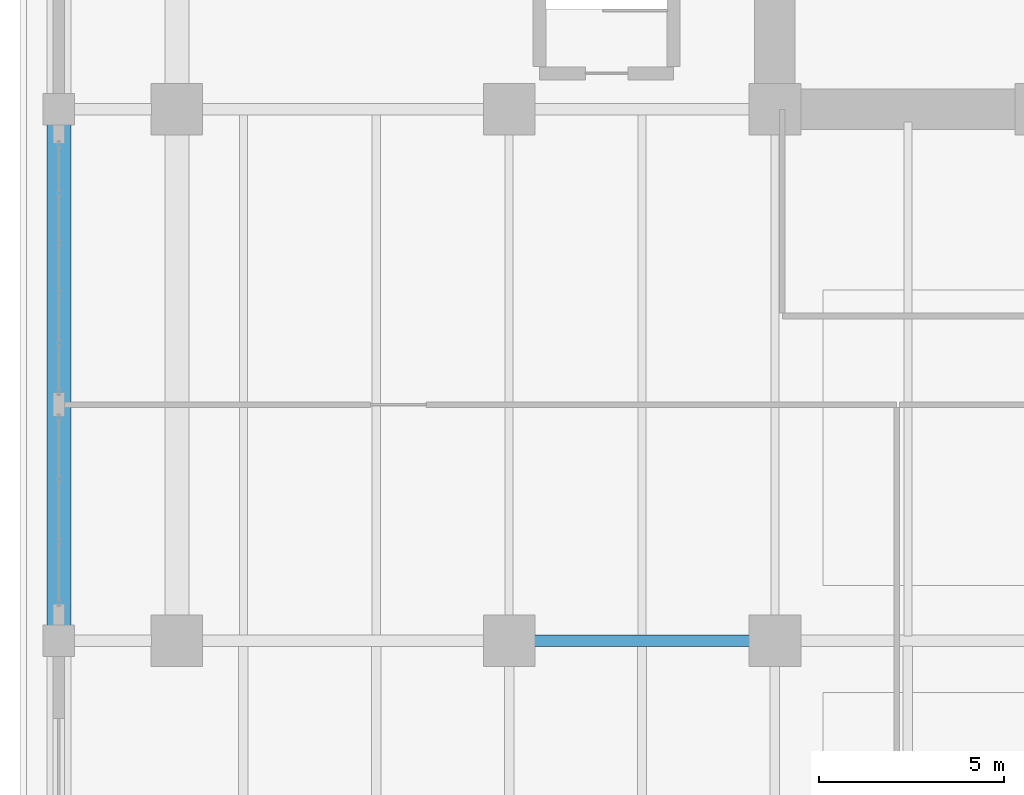
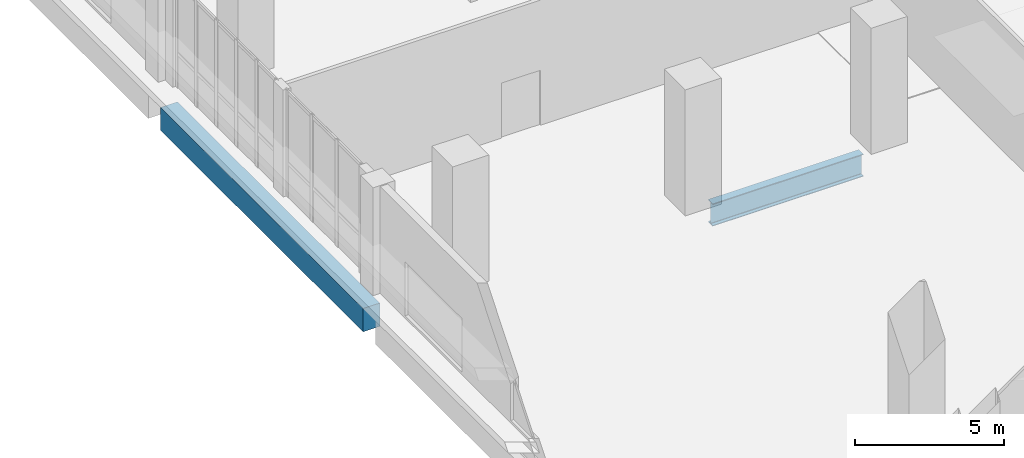
# One storey, part 5 of 25: 2 beams.
"""IFC4 building model written with IfcOpenShell, lengths in metres."""

from ifc_helpers import new_model, si_unit, direction, frame, origin, origin_2d, place, context, subcontext, project, spatial, rectangle, i_section, extrude, material, material_profile, profile_set, type_object, element, save


model = new_model("IFC4")

# Units and contexts
model_context = context("Model", 3, precision=1e-05, world=origin(), true_north=direction((0.0, 1.0)))
body_context = subcontext(model_context, "Body", "Model", "MODEL_VIEW")
ifc_project = project(units=[si_unit("LENGTHUNIT", "METRE"), si_unit("AREAUNIT", "SQUARE_METRE"), si_unit("VOLUMEUNIT", "CUBIC_METRE"), si_unit("PLANEANGLEUNIT", "RADIAN"), si_unit("MASSUNIT", "GRAM", prefix="KILO")], contexts=[model_context])

# Site, building, storey
site_placement = place(None, origin())
site = spatial("IfcSite", under=ifc_project, at=site_placement, CompositionType="ELEMENT")
building_placement = place(site_placement, origin())
building = spatial("IfcBuilding", under=site, at=building_placement, Name="Kaelvorn Grand Hotel", CompositionType="ELEMENT")
storey_placement = place(building_placement, frame((0.0, 0.0, 26.0)))
storey = spatial("IfcBuildingStorey", under=building, at=storey_placement, Name="L04", CompositionType="ELEMENT", Elevation=26.0)

# Beams
ifc_material_1 = material(Name="Steel S355", Category="steel")
ifc_material_profile_1 = material_profile(ifc_material_1, i_section(OverallWidth=0.305419921875, OverallDepth=0.91845703125, WebThickness=0.017333984375, FlangeThickness=0.02783203125, FilletRadius=0.01904296875, at=origin_2d()), Name="UB 914x305x253")
ifc_profile_set_1 = profile_set([ifc_material_profile_1], Name="Steel S355")
beam_type_1 = type_object("IfcBeamType", Name="BM-G-UB914-S355", PredefinedType="BEAM", material=ifc_profile_set_1)
beam_1_placement = place(storey_placement, frame((9.68505859375, 15.0, -0.779296875), z_axis=(1.0, 0.0, 0.0), x_axis=(0.0, 1.0, 0.0)))
element("IfcBeam", 1, at=beam_1_placement, inside=storey, type_object=beam_type_1, Name="L04 Primary Spine Steel Girder G-15 03", PredefinedType="BEAM", context=body_context, shape_type="SweptSolid", body=[
    extrude(i_section(OverallWidth=0.305419921875, OverallDepth=0.91845703125, WebThickness=0.017333984375, FlangeThickness=0.02783203125, FilletRadius=0.01904296875, at=origin_2d()), origin(), (0.0, 0.0, 1.0), 5.829833984375),
])
ifc_material_2 = material(Name="Concrete C60/75", Category="concrete")
ifc_material_profile_2 = material_profile(ifc_material_2, rectangle(XDim=0.64990234375, YDim=0.949951171875, at=origin_2d()), Name="RC SPANDREL 650x950")
ifc_profile_set_2 = profile_set([ifc_material_profile_2], Name="Concrete C60/75")
beam_type_2 = type_object("IfcBeamType", Name="BM-SP-650x950-C60", PredefinedType="SPANDREL", material=ifc_profile_set_2)
beam_2_placement = place(storey_placement, frame((-3.199951171875, 15.409912109375, -0.794921875), z_axis=(0.0, 1.0, 0.0), x_axis=(-1.0, 0.0, 0.0)))
element("IfcBeam", 2, at=beam_2_placement, inside=storey, type_object=beam_type_2, Name="L04 West Perimeter Spandrel 02", PredefinedType="SPANDREL", context=body_context, shape_type="SweptSolid", body=[
    extrude(rectangle(XDim=0.64990234375, YDim=0.949951171875, at=origin_2d()), origin(), (0.0, 0.0, 1.0), 13.580078125),
])

save(model, "model.ifc")
